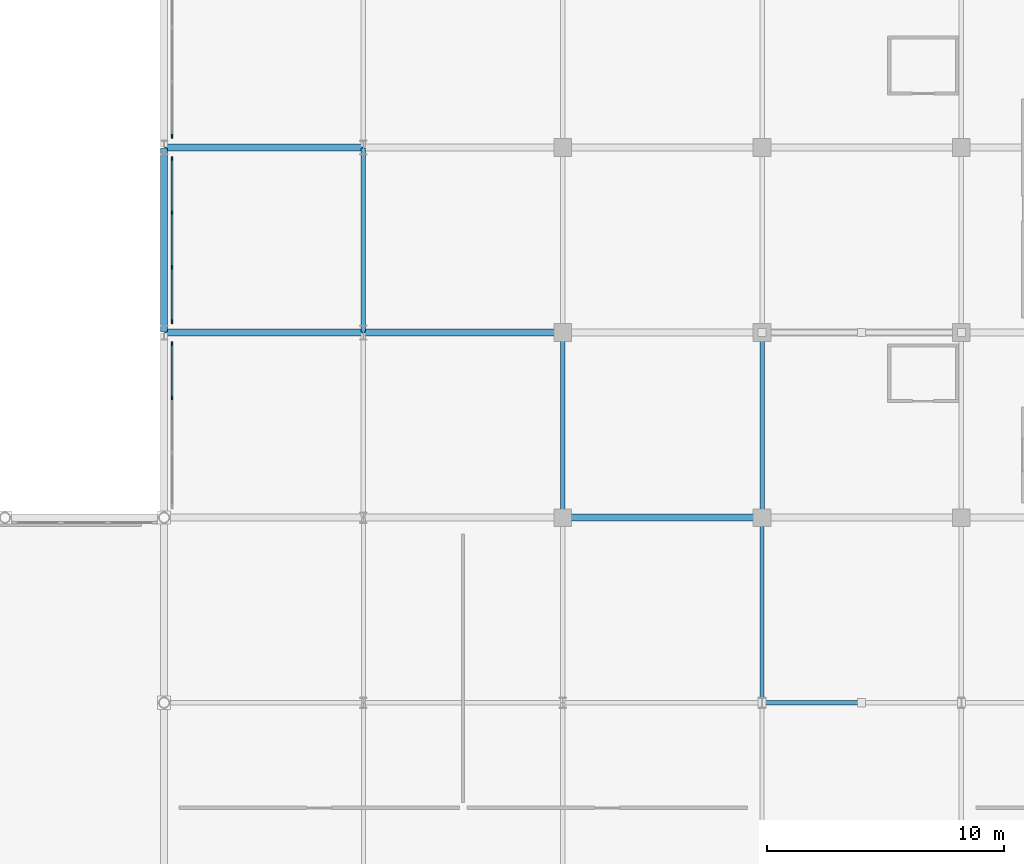
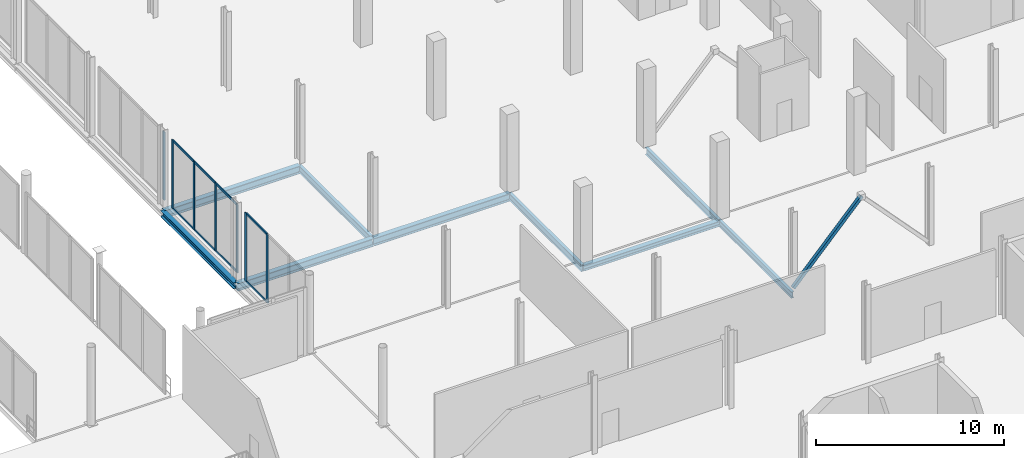
# One storey, part 56 of 105: 16 members, 9 beams, 3 elements without a shape of their own.
"""IFC4 building model written with IfcOpenShell, lengths in metres."""

from ifc_helpers import new_model, si_unit, direction, frame, origin, origin_2d, place, context, subcontext, project, spatial, rectangle, hollow_rectangle, i_section, extrude, material, material_profile, profile_set, type_object, element, aggregate, save


model = new_model("IFC4")

# Units and contexts
model_context = context("Model", 3, precision=1e-05, world=origin(), true_north=direction((0.0, 1.0)))
body_context = subcontext(model_context, "Body", "Model", "MODEL_VIEW")
ifc_project = project(units=[si_unit("LENGTHUNIT", "METRE"), si_unit("AREAUNIT", "SQUARE_METRE"), si_unit("VOLUMEUNIT", "CUBIC_METRE"), si_unit("PLANEANGLEUNIT", "RADIAN"), si_unit("MASSUNIT", "GRAM", prefix="KILO")], contexts=[model_context])

# Site, building, storey
site_placement = place(None, origin())
site = spatial("IfcSite", under=ifc_project, at=site_placement, CompositionType="ELEMENT")
building_placement = place(site_placement, origin())
building = spatial("IfcBuilding", under=site, at=building_placement, Name="Nabrawat Pavilion Hospital", CompositionType="ELEMENT")
storey_placement = place(building_placement, frame((0.0, 0.0, 5.10009765625)))
storey = spatial("IfcBuildingStorey", under=building, at=storey_placement, Name="L01", CompositionType="ELEMENT", Elevation=5.10009765625)

# Curtain wall, members
ifc_material_1 = material(Name="Anodised Aluminium", Category="aluminium")
curtain_wall_type = type_object("IfcCurtainWallType", Name="Healing Garden Cloister Curtain Wall", PredefinedType="USERDEFINED", material=ifc_material_1)
curtain_wall_1_placement = place(storey_placement, origin())
curtain_wall_1 = element("IfcCurtainWall", 1, at=curtain_wall_1_placement, inside=storey, type_object=curtain_wall_type, Name="L01 Healing Garden Cloister Curtain Wall 086", ObjectType="CURTAIN WALL", PredefinedType="USERDEFINED")
ifc_material_profile_1 = material_profile(ifc_material_1, rectangle(XDim=0.06494140625, YDim=0.179931640625, at=origin_2d()), Name="CWM 65x180")
ifc_profile_set_1 = profile_set([ifc_material_profile_1], Name="Anodised Aluminium")
member_type_1 = type_object("IfcMemberType", Name="Healing Garden Cloister Curtain Wall Mullion CWM 65x180", PredefinedType="MULLION", material=ifc_profile_set_1)
member_1_placement = place(storey_placement, frame((126.340087890625, 44.05322265625, 0.0), z_axis=(0.0, 0.0, 1.0), x_axis=(-1.0, 0.0, 0.0)))
member_1 = element("IfcMember", 2, at=member_1_placement, type_object=member_type_1, Name="CW-CLN-01 mullion 3", PredefinedType="MULLION", context=body_context, shape_type="SweptSolid", body=[
    extrude(rectangle(XDim=0.06494140625, YDim=0.179931640625, at=origin_2d()), origin(), (0.0, 0.0, 1.0), 4.43994140625),
])
member_2_placement = place(storey_placement, frame((126.340087890625, 46.327392578125, 0.0), z_axis=(0.0, 0.0, 1.0), x_axis=(-1.0, 0.0, 0.0)))
member_2 = element("IfcMember", 3, at=member_2_placement, type_object=member_type_1, Name="CW-CLN-01 mullion 4", PredefinedType="MULLION", context=body_context, shape_type="SweptSolid", body=[
    extrude(rectangle(XDim=0.06494140625, YDim=0.179931640625, at=origin_2d()), origin(), (0.0, 0.0, 1.0), 4.43994140625),
])

curtain_wall_2_placement = place(storey_placement, origin())
curtain_wall_2 = element("IfcCurtainWall", 4, at=curtain_wall_2_placement, inside=storey, type_object=curtain_wall_type, Name="L01 Healing Garden Cloister Curtain Wall 087", ObjectType="CURTAIN WALL", PredefinedType="USERDEFINED")
member_3_placement = place(storey_placement, frame((126.340087890625, 47.2724609375, 0.0), z_axis=(0.0, 0.0, 1.0), x_axis=(-1.0, 0.0, 0.0)))
member_3 = element("IfcMember", 5, at=member_3_placement, type_object=member_type_1, Name="CW-CLN-01 mullion 1", PredefinedType="MULLION", context=body_context, shape_type="SweptSolid", body=[
    extrude(rectangle(XDim=0.06494140625, YDim=0.179931640625, at=origin_2d()), origin(), (0.0, 0.0, 1.0), 4.43994140625),
])
member_4_placement = place(storey_placement, frame((126.340087890625, 49.546630859375, 0.0), z_axis=(0.0, 0.0, 1.0), x_axis=(-1.0, 0.0, 0.0)))
member_4 = element("IfcMember", 6, at=member_4_placement, type_object=member_type_1, Name="CW-CLN-01 mullion 2", PredefinedType="MULLION", context=body_context, shape_type="SweptSolid", body=[
    extrude(rectangle(XDim=0.06494140625, YDim=0.179931640625, at=origin_2d()), origin(), (0.0, 0.0, 1.0), 4.43994140625),
])
member_5_placement = place(storey_placement, frame((126.340087890625, 51.853271484375, 0.0), z_axis=(0.0, 0.0, 1.0), x_axis=(-1.0, 0.0, 0.0)))
member_5 = element("IfcMember", 7, at=member_5_placement, type_object=member_type_1, Name="CW-CLN-01 mullion 3", PredefinedType="MULLION", context=body_context, shape_type="SweptSolid", body=[
    extrude(rectangle(XDim=0.06494140625, YDim=0.179931640625, at=origin_2d()), origin(), (0.0, 0.0, 1.0), 4.43994140625),
])
member_6_placement = place(storey_placement, frame((126.340087890625, 54.12744140625, 0.0), z_axis=(0.0, 0.0, 1.0), x_axis=(-1.0, 0.0, 0.0)))
member_6 = element("IfcMember", 8, at=member_6_placement, type_object=member_type_1, Name="CW-CLN-01 mullion 4", PredefinedType="MULLION", context=body_context, shape_type="SweptSolid", body=[
    extrude(rectangle(XDim=0.06494140625, YDim=0.179931640625, at=origin_2d()), origin(), (0.0, 0.0, 1.0), 4.43994140625),
])

# Curtain wall, member
curtain_wall_3_placement = place(storey_placement, origin())
curtain_wall_3 = element("IfcCurtainWall", 9, at=curtain_wall_3_placement, inside=storey, type_object=curtain_wall_type, Name="L01 Healing Garden Cloister Curtain Wall 088", ObjectType="CURTAIN WALL", PredefinedType="USERDEFINED")
member_7_placement = place(storey_placement, frame((126.340087890625, 55.072509765625, 0.0), z_axis=(0.0, 0.0, 1.0), x_axis=(-1.0, 0.0, 0.0)))
member_7 = element("IfcMember", 10, at=member_7_placement, type_object=member_type_1, Name="CW-CLN-01 mullion 1", PredefinedType="MULLION", context=body_context, shape_type="SweptSolid", body=[
    extrude(rectangle(XDim=0.06494140625, YDim=0.179931640625, at=origin_2d()), origin(), (0.0, 0.0, 1.0), 4.43994140625),
])
aggregate(curtain_wall_3, [member_7])

# Member
ifc_material_profile_2 = material_profile(ifc_material_1, rectangle(XDim=0.06494140625, YDim=0.135009765625, at=origin_2d()), Name="CWT 65x135")
ifc_profile_set_2 = profile_set([ifc_material_profile_2], Name="Anodised Aluminium")
member_type_2 = type_object("IfcMemberType", Name="Healing Garden Cloister Curtain Wall Transom CWT 65x135", PredefinedType="USERDEFINED", material=ifc_profile_set_2)
member_8_placement = place(storey_placement, frame((126.340087890625, 44.0859375, 0.032470703125), z_axis=(0.0, 1.0, 0.0), x_axis=(-1.0, 0.0, 0.0)))
member_8 = element("IfcMember", 11, at=member_8_placement, type_object=member_type_2, Name="CW-CLN-01 transom 3.1", ObjectType="TRANSOM", PredefinedType="USERDEFINED", context=body_context, shape_type="SweptSolid", body=[
    extrude(rectangle(XDim=0.06494140625, YDim=0.135009765625, at=origin_2d()), origin(), (0.0, 0.0, 1.0), 2.208984375),
])

member_9_placement = place(storey_placement, frame((126.340087890625, 44.0859375, 4.407470703125), z_axis=(0.0, 1.0, 0.0), x_axis=(-1.0, 0.0, 0.0)))
member_9 = element("IfcMember", 12, at=member_9_placement, type_object=member_type_2, Name="CW-CLN-01 transom 3.2", ObjectType="TRANSOM", PredefinedType="USERDEFINED", context=body_context, shape_type="SweptSolid", body=[
    extrude(rectangle(XDim=0.06494140625, YDim=0.135009765625, at=origin_2d()), origin(), (0.0, 0.0, 1.0), 2.208984375),
])

aggregate(curtain_wall_1, [member_1, member_2, member_8, member_9])

member_10_placement = place(storey_placement, frame((126.340087890625, 47.304931640625, 0.032470703125), z_axis=(0.0, 1.0, 0.0), x_axis=(-1.0, 0.0, 0.0)))
member_10 = element("IfcMember", 13, at=member_10_placement, type_object=member_type_2, Name="CW-CLN-01 transom 1.1", ObjectType="TRANSOM", PredefinedType="USERDEFINED", context=body_context, shape_type="SweptSolid", body=[
    extrude(rectangle(XDim=0.06494140625, YDim=0.135009765625, at=origin_2d()), origin(), (0.0, 0.0, 1.0), 2.209228515625),
])

member_11_placement = place(storey_placement, frame((126.340087890625, 47.304931640625, 4.407470703125), z_axis=(0.0, 1.0, 0.0), x_axis=(-1.0, 0.0, 0.0)))
member_11 = element("IfcMember", 14, at=member_11_placement, type_object=member_type_2, Name="CW-CLN-01 transom 1.2", ObjectType="TRANSOM", PredefinedType="USERDEFINED", context=body_context, shape_type="SweptSolid", body=[
    extrude(rectangle(XDim=0.06494140625, YDim=0.135009765625, at=origin_2d()), origin(), (0.0, 0.0, 1.0), 2.209228515625),
])

member_12_placement = place(storey_placement, frame((126.340087890625, 49.5791015625, 0.032470703125), z_axis=(0.0, 1.0, 0.0), x_axis=(-1.0, 0.0, 0.0)))
member_12 = element("IfcMember", 15, at=member_12_placement, type_object=member_type_2, Name="CW-CLN-01 transom 2.1", ObjectType="TRANSOM", PredefinedType="USERDEFINED", context=body_context, shape_type="SweptSolid", body=[
    extrude(rectangle(XDim=0.06494140625, YDim=0.135009765625, at=origin_2d()), origin(), (0.0, 0.0, 1.0), 2.24169921875),
])

member_13_placement = place(storey_placement, frame((126.340087890625, 49.5791015625, 4.407470703125), z_axis=(0.0, 1.0, 0.0), x_axis=(-1.0, 0.0, 0.0)))
member_13 = element("IfcMember", 16, at=member_13_placement, type_object=member_type_2, Name="CW-CLN-01 transom 2.2", ObjectType="TRANSOM", PredefinedType="USERDEFINED", context=body_context, shape_type="SweptSolid", body=[
    extrude(rectangle(XDim=0.06494140625, YDim=0.135009765625, at=origin_2d()), origin(), (0.0, 0.0, 1.0), 2.24169921875),
])

member_14_placement = place(storey_placement, frame((126.340087890625, 51.8857421875, 0.032470703125), z_axis=(0.0, 1.0, 0.0), x_axis=(-1.0, 0.0, 0.0)))
member_14 = element("IfcMember", 17, at=member_14_placement, type_object=member_type_2, Name="CW-CLN-01 transom 3.1", ObjectType="TRANSOM", PredefinedType="USERDEFINED", context=body_context, shape_type="SweptSolid", body=[
    extrude(rectangle(XDim=0.06494140625, YDim=0.135009765625, at=origin_2d()), origin(), (0.0, 0.0, 1.0), 2.209228515625),
])

member_15_placement = place(storey_placement, frame((126.340087890625, 51.8857421875, 4.407470703125), z_axis=(0.0, 1.0, 0.0), x_axis=(-1.0, 0.0, 0.0)))
member_15 = element("IfcMember", 18, at=member_15_placement, type_object=member_type_2, Name="CW-CLN-01 transom 3.2", ObjectType="TRANSOM", PredefinedType="USERDEFINED", context=body_context, shape_type="SweptSolid", body=[
    extrude(rectangle(XDim=0.06494140625, YDim=0.135009765625, at=origin_2d()), origin(), (0.0, 0.0, 1.0), 2.209228515625),
])

aggregate(curtain_wall_2, [member_3, member_4, member_5, member_6, member_10, member_11, member_12, member_13, member_14, member_15])

ifc_material_2 = material(Name="Steel S355", Category="steel")
ifc_material_profile_3 = material_profile(ifc_material_2, hollow_rectangle(XDim=0.199951171875, YDim=0.199951171875, WallThickness=0.012451171875, at=origin_2d()), Name="SHS 200x200x12.5")
ifc_profile_set_3 = profile_set([ifc_material_profile_3], Name="Steel S355")
member_type_3 = type_object("IfcMemberType", Name="Mid Seismic Chevron Brace SHS 200x200x12.5", PredefinedType="BRACE", material=ifc_profile_set_3)
member_16_placement = place(storey_placement, frame((151.199951171875, 31.199951171875, 0.0498046875), z_axis=(0.682314010889, 0.0, 0.73105922506), x_axis=(0.0, 1.0, 0.0)))
element("IfcMember", 19, at=member_16_placement, inside=storey, type_object=member_type_3, Name="L01 Seismic Concentric Chevron Brace 039", PredefinedType="BRACE", context=body_context, shape_type="SweptSolid", body=[
    extrude(hollow_rectangle(XDim=0.199951171875, YDim=0.199951171875, WallThickness=0.012451171875, at=origin_2d()), origin(), (0.0, 0.0, 1.0), 6.155517578125),
])

# Beams
ifc_material_profile_4 = material_profile(ifc_material_2, i_section(OverallWidth=0.300048828125, OverallDepth=0.389892578125, WebThickness=0.010986328125, FlangeThickness=0.01904296875, FilletRadius=0.027099609375, at=origin_2d()), Name="HEA 400")
ifc_profile_set_4 = profile_set([ifc_material_profile_4], Name="Steel S355")
beam_type_1 = type_object("IfcBeamType", Name="Perimeter Moment Spandrel Beam HEA 400", PredefinedType="SPANDREL", material=ifc_profile_set_4)
beam_1_placement = place(storey_placement, frame((126.0, 46.820068359375, -0.445068359375), z_axis=(0.0, 1.0, 0.0), x_axis=(-1.0, 0.0, 0.0)))
element("IfcBeam", 20, at=beam_1_placement, inside=storey, type_object=beam_type_1, Name="L01 Primary Y Beam 804", PredefinedType="SPANDREL", context=body_context, shape_type="SweptSolid", body=[
    extrude(i_section(OverallWidth=0.300048828125, OverallDepth=0.389892578125, WebThickness=0.010986328125, FlangeThickness=0.01904296875, FilletRadius=0.027099609375, at=origin_2d()), origin(), (0.0, 0.0, 1.0), 7.760009765625),
])
ifc_material_profile_5 = material_profile(ifc_material_2, i_section(OverallWidth=0.300048828125, OverallDepth=0.5, WebThickness=0.014404296875, FlangeThickness=0.028076171875, FilletRadius=0.027099609375, at=origin_2d()), Name="HEB 500")
ifc_profile_set_5 = profile_set([ifc_material_profile_5], Name="Steel S355")
beam_type_2 = type_object("IfcBeamType", Name="Primary Floor Girder HEB 500", PredefinedType="USERDEFINED", material=ifc_profile_set_5)
beam_2_placement = place(storey_placement, frame((126.02001953125, 46.800048828125, -0.5), z_axis=(1.0, 0.0, 0.0), x_axis=(0.0, 1.0, 0.0)))
element("IfcBeam", 21, at=beam_2_placement, inside=storey, type_object=beam_type_2, Name="L01 Primary X Girder 540", ObjectType="GIRDER", PredefinedType="USERDEFINED", context=body_context, shape_type="SweptSolid", body=[
    extrude(i_section(OverallWidth=0.300048828125, OverallDepth=0.5, WebThickness=0.014404296875, FlangeThickness=0.028076171875, FilletRadius=0.027099609375, at=origin_2d()), origin(), (0.0, 0.0, 1.0), 8.35986328125),
])
beam_3_placement = place(storey_placement, frame((134.419921875, 46.800048828125, -0.5), z_axis=(1.0, 0.0, 0.0), x_axis=(0.0, 1.0, 0.0)))
element("IfcBeam", 22, at=beam_3_placement, inside=storey, type_object=beam_type_2, Name="L01 Primary X Girder 541", ObjectType="GIRDER", PredefinedType="USERDEFINED", context=body_context, shape_type="SweptSolid", body=[
    extrude(i_section(OverallWidth=0.300048828125, OverallDepth=0.5, WebThickness=0.014404296875, FlangeThickness=0.028076171875, FilletRadius=0.027099609375, at=origin_2d()), origin(), (0.0, 0.0, 1.0), 8.360107421875),
])
beam_4_placement = place(storey_placement, frame((126.02001953125, 54.60009765625, -0.5), z_axis=(1.0, 0.0, 0.0), x_axis=(0.0, 1.0, 0.0)))
element("IfcBeam", 23, at=beam_4_placement, inside=storey, type_object=beam_type_2, Name="L01 Primary X Girder 554", ObjectType="GIRDER", PredefinedType="USERDEFINED", context=body_context, shape_type="SweptSolid", body=[
    extrude(i_section(OverallWidth=0.300048828125, OverallDepth=0.5, WebThickness=0.014404296875, FlangeThickness=0.028076171875, FilletRadius=0.027099609375, at=origin_2d()), origin(), (0.0, 0.0, 1.0), 8.35986328125),
])
ifc_material_profile_6 = material_profile(ifc_material_2, i_section(OverallWidth=0.18994140625, OverallDepth=0.449951171875, WebThickness=0.009521484375, FlangeThickness=0.0146484375, FilletRadius=0.02099609375, at=origin_2d()), Name="IPE 450")
ifc_profile_set_6 = profile_set([ifc_material_profile_6], Name="Steel S355")
beam_type_3 = type_object("IfcBeamType", Name="Primary Y Floor Beam IPE 450", PredefinedType="BEAM", material=ifc_profile_set_6)
for number, where, z_axis, x_axis, name in (
    (24, (134.39990234375, 46.820068359375, -0.47509765625), (0.0, 1.0, 0.0), (-1.0, 0.0, 0.0), "L01 Primary Y Beam 820"),
    (25, (142.800048828125, 39.02001953125, -0.47509765625), (0.0, 1.0, 0.0), (-1.0, 0.0, 0.0), "L01 Primary Y Beam 835"),
    (26, (151.199951171875, 39.02001953125, -0.47509765625), (0.0, 1.0, 0.0), (-1.0, 0.0, 0.0), "L01 Primary Y Beam 851"),
):
    element("IfcBeam", number, at=place(storey_placement, frame(where, z_axis=z_axis, x_axis=x_axis)), inside=storey, type_object=beam_type_3, Name=name, PredefinedType="BEAM", context=body_context, shape_type="SweptSolid", body=[
        extrude(i_section(OverallWidth=0.18994140625, OverallDepth=0.449951171875, WebThickness=0.009521484375, FlangeThickness=0.0146484375, FilletRadius=0.02099609375, at=origin_2d()), origin(), (0.0, 0.0, 1.0), 7.760009765625),
    ])
ifc_material_profile_7 = material_profile(ifc_material_2, i_section(OverallWidth=0.179931640625, OverallDepth=0.39990234375, WebThickness=0.008544921875, FlangeThickness=0.013427734375, FilletRadius=0.02099609375, at=origin_2d()), Name="IPE 400")
ifc_profile_set_7 = profile_set([ifc_material_profile_7], Name="Steel S355")
beam_type_4 = type_object("IfcBeamType", Name="Standard Y Floor Beam IPE 400", PredefinedType="BEAM", material=ifc_profile_set_7)
beam_5_placement = place(storey_placement, frame((151.199951171875, 31.219970703125, -0.43017578125), z_axis=(0.0, 1.0, 0.0), x_axis=(-1.0, 0.0, 0.0)))
element("IfcBeam", 27, at=beam_5_placement, inside=storey, type_object=beam_type_4, Name="L01 Primary Y Beam 850", PredefinedType="BEAM", context=body_context, shape_type="SweptSolid", body=[
    extrude(i_section(OverallWidth=0.179931640625, OverallDepth=0.39990234375, WebThickness=0.008544921875, FlangeThickness=0.013427734375, FilletRadius=0.02099609375, at=origin_2d()), origin(), (0.0, 0.0, 1.0), 7.760009765625),
])
ifc_material_profile_8 = material_profile(ifc_material_2, i_section(OverallWidth=0.300048828125, OverallDepth=0.340087890625, WebThickness=0.011962890625, FlangeThickness=0.021484375, FilletRadius=0.027099609375, at=origin_2d()), Name="HEB 340")
ifc_profile_set_8 = profile_set([ifc_material_profile_8], Name="Steel S355")
beam_type_5 = type_object("IfcBeamType", Name="Ward Perimeter Spandrel Beam HEB 340", PredefinedType="SPANDREL", material=ifc_profile_set_8)
beam_6_placement = place(storey_placement, frame((142.820068359375, 39.0, -0.420166015625), z_axis=(1.0, 0.0, 0.0), x_axis=(0.0, 1.0, 0.0)))
element("IfcBeam", 28, at=beam_6_placement, inside=storey, type_object=beam_type_5, Name="L01 Primary X Girder 530", PredefinedType="SPANDREL", context=body_context, shape_type="SweptSolid", body=[
    extrude(i_section(OverallWidth=0.300048828125, OverallDepth=0.340087890625, WebThickness=0.011962890625, FlangeThickness=0.021484375, FilletRadius=0.027099609375, at=origin_2d()), origin(), (0.0, 0.0, 1.0), 8.35986328125),
])

save(model, "model.ifc")
